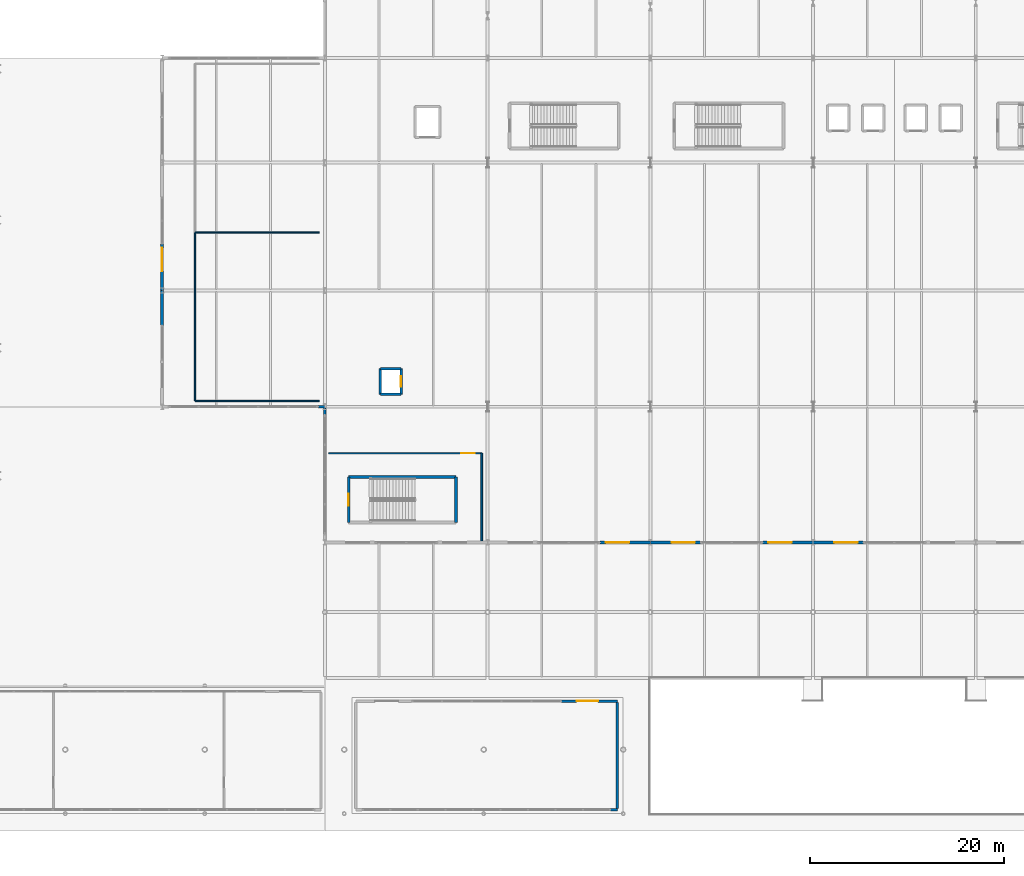
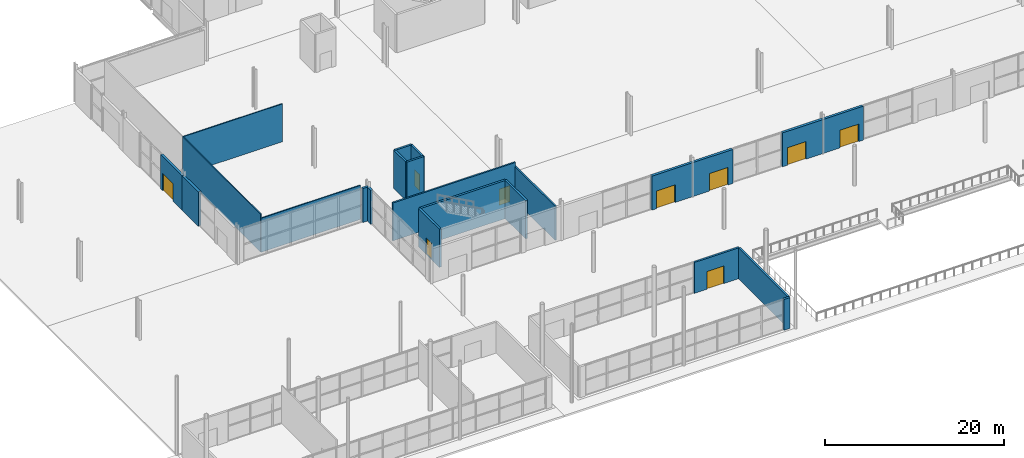
# One storey, part 61 of 87: 23 walls, 9 doors, 9 openings.
"""IFC4 building model written with IfcOpenShell, lengths in metres."""

from ifc_helpers import new_model, si_unit, direction, frame, frame_2d, origin, place, context, subcontext, project, spatial, rectangle, extrude, material, layer, layer_set, type_object, element, fill, save


model = new_model("IFC4")

# Units and contexts
model_context = context("Model", 3, precision=1e-05, world=origin(), true_north=direction((0.0, 1.0)))
body_context = subcontext(model_context, "Body", "Model", "MODEL_VIEW")
ifc_project = project(units=[si_unit("LENGTHUNIT", "METRE"), si_unit("AREAUNIT", "SQUARE_METRE"), si_unit("VOLUMEUNIT", "CUBIC_METRE"), si_unit("PLANEANGLEUNIT", "RADIAN"), si_unit("MASSUNIT", "GRAM", prefix="KILO")], contexts=[model_context])

# Site, building, storey
site_placement = place(None, origin())
site = spatial("IfcSite", under=ifc_project, at=site_placement, CompositionType="ELEMENT")
building_placement = place(site_placement, origin())
building = spatial("IfcBuilding", under=site, at=building_placement, Name="Kimbaza Rail Terminus", CompositionType="ELEMENT")
storey_placement = place(building_placement, origin())
storey = spatial("IfcBuildingStorey", under=building, at=storey_placement, Name="L00", CompositionType="ELEMENT", Elevation=0.0)

# Wall, opening, door
ifc_material_1 = material(Name="Concrete blockwork C30/37", Category="masonry")
ifc_layer_1 = layer(ifc_material_1, 0.239990234375)
ifc_layer_set_1 = layer_set([ifc_layer_1], Name="Concrete blockwork C30/37")
wall_type_1 = type_object("IfcWallType", Name="ARC-WL-EXT240", PredefinedType="STANDARD", material=ifc_layer_set_1)
wall_1_placement = place(storey_placement, frame((79.60009765625, 24.60009765625, 0.0), z_axis=(0.0, 0.0, 1.0), x_axis=(1.0, 0.0, 0.0)))
wall_1 = element("IfcWall", 1, at=wall_1_placement, inside=storey, type_object=wall_type_1, Name="Taxi Waiting Pavilion North Wall B", PredefinedType="STANDARD", context=body_context, shape_type="SweptSolid", body=[
    extrude(rectangle(XDim=5.7998046875, YDim=0.239990234375, at=frame_2d((2.89990234375, 0.0))), origin(), (0.0, 0.0, 1.0), 4.199951171875),
])
opening_1_placement = place(wall_1_placement, frame((1.60009765625, 0.0, 0.0)))
opening_1 = element("IfcOpeningElement", 2, at=opening_1_placement, cuts=wall_1, Name="Opening D-EX2", PredefinedType="OPENING", context=body_context, shape_type="SweptSolid", body=[
    extrude(rectangle(XDim=2.199951171875, YDim=2.39990234375, at=frame_2d((1.10009765625, 1.199951171875))), frame((0.0, 0.1298828125, 0.0), z_axis=(0.0, -1.0, 0.0), x_axis=(1.0, 0.0, 0.0)), (0.0, 0.0, 1.0), 0.260009765625),
])
ifc_material_2 = material(Name="Anodised aluminium and toughened safety glass", Category="aluminium")
door_type_1 = type_object("IfcDoorType", Name="ARC-DR-EX220", OperationType="NOTDEFINED", PredefinedType="DOOR", material=ifc_material_2)
door_1_placement = place(opening_1_placement, origin())
door_1 = element("IfcDoor", 3, at=door_1_placement, inside=storey, type_object=door_type_1, Name="DR-EX-K2B", OperationType="SINGLE_SWING_RIGHT", OverallHeight=2.39990234375, OverallWidth=2.199951171875, PredefinedType="DOOR", context=body_context, shape_type="SweptSolid", body=[
    extrude(rectangle(XDim=2.199951171875, YDim=2.39990234375, at=frame_2d((1.10009765625, 1.199951171875))), frame((0.0, 0.02490234375, 0.0), z_axis=(0.0, -1.0, 0.0), x_axis=(1.0, 0.0, 0.0)), (0.0, 0.0, 1.0), 0.050048828125),
])
fill(opening_1, door_1)

# Walls
wall_2_placement = place(storey_placement, frame((85.39990234375, 13.5400390625, 0.0), z_axis=(0.0, 0.0, 1.0), x_axis=(0.0, 1.0, 0.0)))
element("IfcWall", 4, at=wall_2_placement, inside=storey, type_object=wall_type_1, Name="Taxi Waiting Pavilion East Wall", PredefinedType="STANDARD", context=body_context, shape_type="SweptSolid", body=[
    extrude(rectangle(XDim=10.93994140625, YDim=0.239990234375, at=frame_2d((5.469970703125, 0.0))), origin(), (0.0, 0.0, 1.0), 4.199951171875),
])
ifc_material_3 = material(Name="Precast concrete C40/50", Category="concrete")
ifc_layer_2 = layer(ifc_material_3, 0.280029296875)
ifc_layer_set_2 = layer_set([ifc_layer_2], Name="Precast concrete C40/50")
wall_type_2 = type_object("IfcWallType", Name="ARC-WL-EXT280", PredefinedType="STANDARD", material=ifc_layer_set_2)
wall_3_placement = place(storey_placement, frame((55.199951171875, 54.139892578125, 0.0), z_axis=(0.0, 0.0, 1.0), x_axis=(0.0, 1.0, 0.0)))
element("IfcWall", 5, at=wall_3_placement, inside=storey, type_object=wall_type_2, Name="Concourse W Return Curtain Wall L00 Corner Pier B", PredefinedType="STANDARD", context=body_context, shape_type="SweptSolid", body=[
    extrude(rectangle(XDim=0.72021484375, YDim=0.280029296875, at=frame_2d((0.360107421875, 0.0))), origin(), (0.0, 0.0, 1.0), 4.625),
])
wall_4_placement = place(storey_placement, frame((54.47998046875, 55.0, 0.0), z_axis=(0.0, 0.0, 1.0), x_axis=(1.0, 0.0, 0.0)))
element("IfcWall", 6, at=wall_4_placement, inside=storey, type_object=wall_type_2, Name="Ticket Hall Wing W Curtain Wall L00.1 Corner Pier B", PredefinedType="STANDARD", context=body_context, shape_type="SweptSolid", body=[
    extrude(rectangle(XDim=0.719970703125, YDim=0.280029296875, at=frame_2d((0.35986328125, 0.0))), origin(), (0.0, 0.0, 1.0), 4.625),
])
wall_5_placement = place(storey_placement, frame((84.679931640625, 13.39990234375, 0.0), z_axis=(0.0, 0.0, 1.0), x_axis=(1.0, 0.0, 0.0)))
element("IfcWall", 7, at=wall_5_placement, inside=storey, type_object=wall_type_2, Name="Taxi Waiting Pavilion South Curtain Wall Corner Pier B", PredefinedType="STANDARD", context=body_context, shape_type="SweptSolid", body=[
    extrude(rectangle(XDim=0.719970703125, YDim=0.280029296875, at=frame_2d((0.35986328125, 0.0))), origin(), (0.0, 0.0, 1.0), 4.199951171875),
])

# Wall, opening, door
ifc_material_4 = material(Name="Precast concrete C40/50", Category="concrete")
ifc_layer_3 = layer(ifc_material_4, 0.320068359375)
ifc_layer_set_3 = layer_set([ifc_layer_3], Name="Precast concrete C40/50")
wall_type_3 = type_object("IfcWallType", Name="ARC-WL-EXT320", PredefinedType="STANDARD", material=ifc_layer_set_3)
wall_6_placement = place(storey_placement, frame((83.60009765625, 41.0, 0.0), z_axis=(0.0, 0.0, 1.0), x_axis=(1.0, 0.0, 0.0)))
wall_6 = element("IfcWall", 8, at=wall_6_placement, inside=storey, type_object=wall_type_3, Name="South Concourse Entrance Portal 2B", PredefinedType="STANDARD", context=body_context, shape_type="SweptSolid", body=[
    extrude(rectangle(XDim=5.199951171875, YDim=0.320068359375, at=frame_2d((2.60009765625, 0.0))), origin(), (0.0, 0.0, 1.0), 4.625),
])
opening_2_placement = place(wall_6_placement, frame((3.0, 0.0, 0.0), z_axis=(0.0, 0.0, 1.0), x_axis=(-1.0, 0.0, 0.0)))
opening_2 = element("IfcOpeningElement", 9, at=opening_2_placement, cuts=wall_6, Name="Opening D-EX1", PredefinedType="OPENING", context=body_context, shape_type="SweptSolid", body=[
    extrude(rectangle(XDim=2.39990234375, YDim=2.39990234375, at=frame_2d((1.199951171875, 1.199951171875))), frame((0.0, 0.169921875, 0.0), z_axis=(0.0, -1.0, 0.0), x_axis=(1.0, 0.0, 0.0)), (0.0, 0.0, 1.0), 0.340087890625),
])
ifc_material_5 = material(Name="Anodised aluminium and toughened safety glass", Category="aluminium")
door_type_2 = type_object("IfcDoorType", Name="ARC-DR-EX240", OperationType="NOTDEFINED", PredefinedType="DOOR", material=ifc_material_5)
door_2_placement = place(opening_2_placement, origin())
door_2 = element("IfcDoor", 10, at=door_2_placement, inside=storey, type_object=door_type_2, Name="DR-EX-S04", OperationType="SINGLE_SWING_LEFT", OverallHeight=2.39990234375, OverallWidth=2.39990234375, PredefinedType="DOOR", context=body_context, shape_type="SweptSolid", body=[
    extrude(rectangle(XDim=2.39990234375, YDim=2.39990234375, at=frame_2d((1.199951171875, 1.199951171875))), frame((0.0, 0.02490234375, 0.0), z_axis=(0.0, -1.0, 0.0), x_axis=(1.0, 0.0, 0.0)), (0.0, 0.0, 1.0), 0.050048828125),
])
fill(opening_2, door_2)

wall_7_placement = place(storey_placement, frame((88.800048828125, 41.0, 0.0), z_axis=(0.0, 0.0, 1.0), x_axis=(1.0, 0.0, 0.0)))
wall_7 = element("IfcWall", 11, at=wall_7_placement, inside=storey, type_object=wall_type_3, Name="South Concourse Entrance Portal 3A", PredefinedType="STANDARD", context=body_context, shape_type="SweptSolid", body=[
    extrude(rectangle(XDim=5.199951171875, YDim=0.320068359375, at=frame_2d((2.60009765625, 0.0))), origin(), (0.0, 0.0, 1.0), 4.625),
])
opening_3_placement = place(wall_7_placement, frame((4.599853515625, 0.0, 0.0), z_axis=(0.0, 0.0, 1.0), x_axis=(-1.0, 0.0, 0.0)))
opening_3 = element("IfcOpeningElement", 12, at=opening_3_placement, cuts=wall_7, Name="Opening D-EX1", PredefinedType="OPENING", context=body_context, shape_type="SweptSolid", body=[
    extrude(rectangle(XDim=2.39990234375, YDim=2.39990234375, at=frame_2d((1.199951171875, 1.199951171875))), frame((0.0, 0.169921875, 0.0), z_axis=(0.0, -1.0, 0.0), x_axis=(1.0, 0.0, 0.0)), (0.0, 0.0, 1.0), 0.340087890625),
])
door_3_placement = place(opening_3_placement, origin())
door_3 = element("IfcDoor", 13, at=door_3_placement, inside=storey, type_object=door_type_2, Name="DR-EX-S05", OperationType="SINGLE_SWING_RIGHT", OverallHeight=2.39990234375, OverallWidth=2.39990234375, PredefinedType="DOOR", context=body_context, shape_type="SweptSolid", body=[
    extrude(rectangle(XDim=2.39990234375, YDim=2.39990234375, at=frame_2d((1.199951171875, 1.199951171875))), frame((0.0, 0.02490234375, 0.0), z_axis=(0.0, -1.0, 0.0), x_axis=(1.0, 0.0, 0.0)), (0.0, 0.0, 1.0), 0.050048828125),
])
fill(opening_3, door_3)

wall_8_placement = place(storey_placement, frame((100.39990234375, 41.0, 0.0), z_axis=(0.0, 0.0, 1.0), x_axis=(1.0, 0.0, 0.0)))
wall_8 = element("IfcWall", 14, at=wall_8_placement, inside=storey, type_object=wall_type_3, Name="South Concourse Entrance Portal 3B", PredefinedType="STANDARD", context=body_context, shape_type="SweptSolid", body=[
    extrude(rectangle(XDim=5.2001953125, YDim=0.320068359375, at=frame_2d((2.60009765625, 0.0))), origin(), (0.0, 0.0, 1.0), 4.625),
])
opening_4_placement = place(wall_8_placement, frame((3.0, 0.0, 0.0), z_axis=(0.0, 0.0, 1.0), x_axis=(-1.0, 0.0, 0.0)))
opening_4 = element("IfcOpeningElement", 15, at=opening_4_placement, cuts=wall_8, Name="Opening D-EX1", PredefinedType="OPENING", context=body_context, shape_type="SweptSolid", body=[
    extrude(rectangle(XDim=2.39990234375, YDim=2.39990234375, at=frame_2d((1.199951171875, 1.199951171875))), frame((0.0, 0.169921875, 0.0), z_axis=(0.0, -1.0, 0.0), x_axis=(1.0, 0.0, 0.0)), (0.0, 0.0, 1.0), 0.340087890625),
])
door_4_placement = place(opening_4_placement, origin())
door_4 = element("IfcDoor", 16, at=door_4_placement, inside=storey, type_object=door_type_2, Name="DR-EX-S06", OperationType="SINGLE_SWING_LEFT", OverallHeight=2.39990234375, OverallWidth=2.39990234375, PredefinedType="DOOR", context=body_context, shape_type="SweptSolid", body=[
    extrude(rectangle(XDim=2.39990234375, YDim=2.39990234375, at=frame_2d((1.199951171875, 1.199951171875))), frame((0.0, 0.02490234375, 0.0), z_axis=(0.0, -1.0, 0.0), x_axis=(1.0, 0.0, 0.0)), (0.0, 0.0, 1.0), 0.050048828125),
])
fill(opening_4, door_4)

wall_9_placement = place(storey_placement, frame((105.60009765625, 41.0, 0.0), z_axis=(0.0, 0.0, 1.0), x_axis=(1.0, 0.0, 0.0)))
wall_9 = element("IfcWall", 17, at=wall_9_placement, inside=storey, type_object=wall_type_3, Name="South Concourse Entrance Portal 4A", PredefinedType="STANDARD", context=body_context, shape_type="SweptSolid", body=[
    extrude(rectangle(XDim=5.199951171875, YDim=0.320068359375, at=frame_2d((2.60009765625, 0.0))), origin(), (0.0, 0.0, 1.0), 4.625),
])
opening_5_placement = place(wall_9_placement, frame((4.599853515625, 0.0, 0.0), z_axis=(0.0, 0.0, 1.0), x_axis=(-1.0, 0.0, 0.0)))
opening_5 = element("IfcOpeningElement", 18, at=opening_5_placement, cuts=wall_9, Name="Opening D-EX1", PredefinedType="OPENING", context=body_context, shape_type="SweptSolid", body=[
    extrude(rectangle(XDim=2.39990234375, YDim=2.39990234375, at=frame_2d((1.199951171875, 1.199951171875))), frame((0.0, 0.169921875, 0.0), z_axis=(0.0, -1.0, 0.0), x_axis=(1.0, 0.0, 0.0)), (0.0, 0.0, 1.0), 0.340087890625),
])
door_5_placement = place(opening_5_placement, origin())
door_5 = element("IfcDoor", 19, at=door_5_placement, inside=storey, type_object=door_type_2, Name="DR-EX-S07", OperationType="SINGLE_SWING_RIGHT", OverallHeight=2.39990234375, OverallWidth=2.39990234375, PredefinedType="DOOR", context=body_context, shape_type="SweptSolid", body=[
    extrude(rectangle(XDim=2.39990234375, YDim=2.39990234375, at=frame_2d((1.199951171875, 1.199951171875))), frame((0.0, 0.02490234375, 0.0), z_axis=(0.0, -1.0, 0.0), x_axis=(1.0, 0.0, 0.0)), (0.0, 0.0, 1.0), 0.050048828125),
])
fill(opening_5, door_5)

# Wall
wall_10_placement = place(storey_placement, frame((38.39990234375, 63.39990234375, 0.0), z_axis=(0.0, 0.0, 1.0), x_axis=(0.0, 1.0, 0.0)))
element("IfcWall", 20, at=wall_10_placement, inside=storey, type_object=wall_type_3, Name="Ticket Hall W Pier L00.1", PredefinedType="STANDARD", context=body_context, shape_type="SweptSolid", body=[
    extrude(rectangle(XDim=3.60009765625, YDim=0.320068359375, at=frame_2d((1.800048828125, 0.0))), origin(), (0.0, 0.0, 1.0), 4.675048828125),
])

# Wall, opening, door
wall_11_placement = place(storey_placement, frame((38.39990234375, 67.0, 0.0), z_axis=(0.0, 0.0, 1.0), x_axis=(0.0, 1.0, 0.0)))
wall_11 = element("IfcWall", 21, at=wall_11_placement, inside=storey, type_object=wall_type_3, Name="Ticket Hall W Flank Wall L00.2", PredefinedType="STANDARD", context=body_context, shape_type="SweptSolid", body=[
    extrude(rectangle(XDim=4.800048828125, YDim=0.320068359375, at=frame_2d((2.39990234375, 0.0))), origin(), (0.0, 0.0, 1.0), 4.675048828125),
])
opening_6_placement = place(wall_11_placement, frame((2.0, 0.0, 0.0)))
opening_6 = element("IfcOpeningElement", 22, at=opening_6_placement, cuts=wall_11, Name="Opening D-EX1", PredefinedType="OPENING", context=body_context, shape_type="SweptSolid", body=[
    extrude(rectangle(XDim=2.39990234375, YDim=2.39990234375, at=frame_2d((1.199951171875, 1.199951171875))), frame((0.0, 0.169921875, 0.0), z_axis=(0.0, -1.0, 0.0), x_axis=(1.0, 0.0, 0.0)), (0.0, 0.0, 1.0), 0.340087890625),
])
door_6_placement = place(opening_6_placement, origin())
door_6 = element("IfcDoor", 23, at=door_6_placement, inside=storey, type_object=door_type_2, Name="DR-EX-W2", OperationType="SINGLE_SWING_LEFT", OverallHeight=2.39990234375, OverallWidth=2.39990234375, PredefinedType="DOOR", context=body_context, shape_type="SweptSolid", body=[
    extrude(rectangle(XDim=2.39990234375, YDim=2.39990234375, at=frame_2d((1.199951171875, 1.199951171875))), frame((0.0, 0.02490234375, 0.0), z_axis=(0.0, -1.0, 0.0), x_axis=(1.0, 0.0, 0.0)), (0.0, 0.0, 1.0), 0.050048828125),
])
fill(opening_6, door_6)

# Wall
ifc_material_6 = material(Name="Concrete blockwork C30/37", Category="masonry")
ifc_layer_4 = layer(ifc_material_6, 0.199951171875)
ifc_layer_set_4 = layer_set([ifc_layer_4], Name="Concrete blockwork C30/37")
wall_type_4 = type_object("IfcWallType", Name="ARC-WL-FIRE200", PredefinedType="PARTITIONING", material=ifc_layer_set_4)
wall_12_placement = place(storey_placement, frame((71.39990234375, 41.159912109375, 0.0), z_axis=(0.0, 0.0, 1.0), x_axis=(0.0, 1.0, 0.0)))
element("IfcWall", 24, at=wall_12_placement, inside=storey, type_object=wall_type_4, Name="Protected Exit Vestibule ST-S1 Partition (east)", PredefinedType="PARTITIONING", context=body_context, shape_type="SweptSolid", body=[
    extrude(rectangle(XDim=9.0400390625, YDim=0.199951171875, at=frame_2d((4.52001953125, 0.0))), origin(), (0.0, 0.0, 1.0), 4.625),
])

# Wall, opening, door
wall_13_placement = place(storey_placement, frame((71.39990234375, 50.199951171875, 0.0), z_axis=(0.0, 0.0, 1.0), x_axis=(-1.0, 0.0, 0.0)))
wall_13 = element("IfcWall", 25, at=wall_13_placement, inside=storey, type_object=wall_type_4, Name="Protected Exit Vestibule ST-S1 Partition (north)", PredefinedType="PARTITIONING", context=body_context, shape_type="SweptSolid", body=[
    extrude(rectangle(XDim=15.7998046875, YDim=0.199951171875, at=frame_2d((7.89990234375, 0.0))), origin(), (0.0, 0.0, 1.0), 5.159912109375),
])
opening_7_placement = place(wall_13_placement, frame((0.699951171875, 0.0, 0.0)))
opening_7 = element("IfcOpeningElement", 26, at=opening_7_placement, cuts=wall_13, Name="Opening FD-01", PredefinedType="OPENING", context=body_context, shape_type="SweptSolid", body=[
    extrude(rectangle(XDim=1.39990234375, YDim=2.199951171875, at=frame_2d((0.699951171875, 1.10009765625))), frame((0.0, 0.10986328125, 0.0), z_axis=(0.0, -1.0, 0.0), x_axis=(1.0, 0.0, 0.0)), (0.0, 0.0, 1.0), 0.219970703125),
])
ifc_material_7 = material(Name="Galvanised painted steel fire escape door", Category="steel")
door_type_3 = type_object("IfcDoorType", Name="ARC-DR-FD140", OperationType="NOTDEFINED", PredefinedType="DOOR", material=ifc_material_7)
door_7_placement = place(opening_7_placement, origin())
door_7 = element("IfcDoor", 27, at=door_7_placement, inside=storey, type_object=door_type_3, Name="IDR-SPC-EXV-STS1", OperationType="SINGLE_SWING_RIGHT", OverallHeight=2.199951171875, OverallWidth=1.39990234375, PredefinedType="DOOR", context=body_context, shape_type="SweptSolid", body=[
    extrude(rectangle(XDim=1.39990234375, YDim=2.199951171875, at=frame_2d((0.699951171875, 1.10009765625))), frame((0.0, 0.02490234375, 0.0), z_axis=(0.0, -1.0, 0.0), x_axis=(1.0, 0.0, 0.0)), (0.0, 0.0, 1.0), 0.050048828125),
])
fill(opening_7, door_7)

# Walls
ifc_material_8 = material(Name="Acoustic gypsum stud partition", Category="gypsum")
ifc_layer_5 = layer(ifc_material_8, 0.1298828125)
ifc_layer_set_5 = layer_set([ifc_layer_5], Name="Acoustic gypsum stud partition")
wall_type_5 = type_object("IfcWallType", Name="ARC-WL-PART130", PredefinedType="PARTITIONING", material=ifc_layer_set_5)
wall_14_placement = place(storey_placement, frame((41.800048828125, 55.60009765625, 0.0), z_axis=(0.0, 0.0, 1.0), x_axis=(1.0, 0.0, 0.0)))
element("IfcWall", 28, at=wall_14_placement, inside=storey, type_object=wall_type_5, Name="Intercity Ticket Counters and Booths Partition (south)", PredefinedType="PARTITIONING", context=body_context, shape_type="SweptSolid", body=[
    extrude(rectangle(XDim=12.800048828125, YDim=0.1298828125, at=frame_2d((6.39990234375, 0.0))), origin(), (0.0, 0.0, 1.0), 4.625),
])
wall_15_placement = place(storey_placement, frame((54.60009765625, 73.0, 0.0), z_axis=(0.0, 0.0, 1.0), x_axis=(-1.0, 0.0, 0.0)))
element("IfcWall", 29, at=wall_15_placement, inside=storey, type_object=wall_type_5, Name="Intercity Ticket Counters and Booths Partition (north)", PredefinedType="PARTITIONING", context=body_context, shape_type="SweptSolid", body=[
    extrude(rectangle(XDim=12.800048828125, YDim=0.1298828125, at=frame_2d((6.39990234375, 0.0))), origin(), (0.0, 0.0, 1.0), 5.159912109375),
])
wall_16_placement = place(storey_placement, frame((41.800048828125, 73.0, 0.0), z_axis=(0.0, 0.0, 1.0), x_axis=(0.0, -1.0, 0.0)))
element("IfcWall", 30, at=wall_16_placement, inside=storey, type_object=wall_type_5, Name="Intercity Ticket Counters and Booths Partition (west)", PredefinedType="PARTITIONING", context=body_context, shape_type="SweptSolid", body=[
    extrude(rectangle(XDim=17.39990234375, YDim=0.1298828125, at=frame_2d((8.699951171875, 0.0))), origin(), (0.0, 0.0, 1.0), 5.159912109375),
])
ifc_material_9 = material(Name="Concrete C40/50", Category="concrete")
ifc_layer_6 = layer(ifc_material_9, 0.25)
ifc_layer_set_6 = layer_set([ifc_layer_6], Name="Concrete C40/50")
wall_type_6 = type_object("IfcWallType", Name="STR-WL-CORE250", PredefinedType="SHEAR", material=ifc_layer_set_6)
wall_17_placement = place(storey_placement, frame((60.919921875, 56.27001953125, 0.0), z_axis=(0.0, 0.0, 1.0), x_axis=(1.0, 0.0, 0.0)))
element("IfcWall", 31, at=wall_17_placement, inside=storey, type_object=wall_type_6, Name="Lift Shaft Wall LP-05 L00-1", PredefinedType="SHEAR", context=body_context, shape_type="SweptSolid", body=[
    extrude(rectangle(XDim=2.16015625, YDim=0.25, at=frame_2d((1.080078125, 0.0))), origin(), (0.0, 0.0, 1.0), 5.179931640625),
])

# Wall, opening, door
wall_18_placement = place(storey_placement, frame((63.080078125, 56.27001953125, 0.0), z_axis=(0.0, 0.0, 1.0), x_axis=(0.0, 1.0, 0.0)))
wall_18 = element("IfcWall", 32, at=wall_18_placement, inside=storey, type_object=wall_type_6, Name="Lift Shaft Wall LP-05 L00-2", PredefinedType="SHEAR", context=body_context, shape_type="SweptSolid", body=[
    extrude(rectangle(XDim=2.659912109375, YDim=0.25, at=frame_2d((1.330078125, 0.0))), origin(), (0.0, 0.0, 1.0), 5.179931640625),
])
opening_8_placement = place(wall_18_placement, frame((0.780029296875, 0.0, 0.0)))
opening_8 = element("IfcOpeningElement", 33, at=opening_8_placement, cuts=wall_18, Name="Opening LD-01", PredefinedType="OPENING", context=body_context, shape_type="SweptSolid", body=[
    extrude(rectangle(XDim=1.10009765625, YDim=2.199951171875, at=frame_2d((0.550048828125, 1.10009765625))), frame((0.0, 0.135009765625, 0.0), z_axis=(0.0, -1.0, 0.0), x_axis=(1.0, 0.0, 0.0)), (0.0, 0.0, 1.0), 0.27001953125),
])
ifc_material_10 = material(Name="Brushed stainless steel sliding landing door", Category="steel")
door_type_4 = type_object("IfcDoorType", Name="ARC-DR-LD110", OperationType="NOTDEFINED", PredefinedType="DOOR", material=ifc_material_10)
door_8_placement = place(opening_8_placement, origin())
door_8 = element("IfcDoor", 34, at=door_8_placement, inside=storey, type_object=door_type_4, Name="LDR-LP-05-L00", OperationType="SLIDING_TO_RIGHT", OverallHeight=2.199951171875, OverallWidth=1.10009765625, PredefinedType="DOOR", context=body_context, shape_type="SweptSolid", body=[
    extrude(rectangle(XDim=1.10009765625, YDim=2.199951171875, at=frame_2d((0.550048828125, 1.10009765625))), frame((0.0, 0.02490234375, 0.0), z_axis=(0.0, -1.0, 0.0), x_axis=(1.0, 0.0, 0.0)), (0.0, 0.0, 1.0), 0.050048828125),
])
fill(opening_8, door_8)

# Walls
wall_19_placement = place(storey_placement, frame((63.080078125, 58.929931640625, 0.0), z_axis=(0.0, 0.0, 1.0), x_axis=(-1.0, 0.0, 0.0)))
element("IfcWall", 35, at=wall_19_placement, inside=storey, type_object=wall_type_6, Name="Lift Shaft Wall LP-05 L00-3", PredefinedType="SHEAR", context=body_context, shape_type="SweptSolid", body=[
    extrude(rectangle(XDim=2.16015625, YDim=0.25, at=frame_2d((1.080078125, 0.0))), origin(), (0.0, 0.0, 1.0), 5.179931640625),
])
wall_20_placement = place(storey_placement, frame((60.919921875, 58.929931640625, 0.0), z_axis=(0.0, 0.0, 1.0), x_axis=(0.0, -1.0, 0.0)))
element("IfcWall", 36, at=wall_20_placement, inside=storey, type_object=wall_type_6, Name="Lift Shaft Wall LP-05 L00-4", PredefinedType="SHEAR", context=body_context, shape_type="SweptSolid", body=[
    extrude(rectangle(XDim=2.659912109375, YDim=0.25, at=frame_2d((1.330078125, 0.0))), origin(), (0.0, 0.0, 1.0), 5.179931640625),
])
ifc_material_11 = material(Name="Concrete C40/50", Category="concrete")
ifc_layer_7 = layer(ifc_material_11, 0.280029296875)
ifc_layer_set_7 = layer_set([ifc_layer_7], Name="Concrete C40/50")
wall_type_7 = type_object("IfcWallType", Name="STR-WL-CORE280", PredefinedType="SHEAR", material=ifc_layer_set_7)
wall_21_placement = place(storey_placement, frame((68.739990234375, 43.06005859375, 0.0), z_axis=(0.0, 0.0, 1.0), x_axis=(0.0, 1.0, 0.0)))
element("IfcWall", 37, at=wall_21_placement, inside=storey, type_object=wall_type_7, Name="South Metro Concourse West Stair Shaft Wall L00-2", PredefinedType="SHEAR", context=body_context, shape_type="SweptSolid", body=[
    extrude(rectangle(XDim=4.679931640625, YDim=0.280029296875, at=frame_2d((2.33984375, 0.0))), origin(), (0.0, 0.0, 1.0), 5.179931640625),
])
wall_22_placement = place(storey_placement, frame((68.739990234375, 47.739990234375, 0.0), z_axis=(0.0, 0.0, 1.0), x_axis=(-1.0, 0.0, 0.0)))
element("IfcWall", 38, at=wall_22_placement, inside=storey, type_object=wall_type_7, Name="South Metro Concourse West Stair Shaft Wall L00-3", PredefinedType="SHEAR", context=body_context, shape_type="SweptSolid", body=[
    extrude(rectangle(XDim=11.080078125, YDim=0.280029296875, at=frame_2d((5.5400390625, 0.0))), origin(), (0.0, 0.0, 1.0), 5.179931640625),
])

# Wall, opening, door
wall_23_placement = place(storey_placement, frame((57.659912109375, 47.739990234375, 0.0), z_axis=(0.0, 0.0, 1.0), x_axis=(0.0, -1.0, 0.0)))
wall_23 = element("IfcWall", 39, at=wall_23_placement, inside=storey, type_object=wall_type_7, Name="South Metro Concourse West Stair Shaft Wall L00-4", PredefinedType="SHEAR", context=body_context, shape_type="SweptSolid", body=[
    extrude(rectangle(XDim=4.679931640625, YDim=0.280029296875, at=frame_2d((2.33984375, 0.0))), origin(), (0.0, 0.0, 1.0), 5.179931640625),
])
opening_9_placement = place(wall_23_placement, frame((1.715087890625, 0.0, 0.0)))
opening_9 = element("IfcOpeningElement", 40, at=opening_9_placement, cuts=wall_23, Name="Opening FD-02", PredefinedType="OPENING", context=body_context, shape_type="SweptSolid", body=[
    extrude(rectangle(XDim=1.25, YDim=2.199951171875, at=frame_2d((0.625, 1.10009765625))), frame((0.0, 0.14990234375, 0.0), z_axis=(0.0, -1.0, 0.0), x_axis=(1.0, 0.0, 0.0)), (0.0, 0.0, 1.0), 0.300048828125),
])
ifc_material_12 = material(Name="Galvanised painted steel fire stair door", Category="steel")
door_type_5 = type_object("IfcDoorType", Name="ARC-DR-FD125", OperationType="NOTDEFINED", PredefinedType="DOOR", material=ifc_material_12)
door_9_placement = place(opening_9_placement, origin())
door_9 = element("IfcDoor", 41, at=door_9_placement, inside=storey, type_object=door_type_5, Name="SDR-ST-S1-L00", OperationType="SINGLE_SWING_RIGHT", OverallHeight=2.199951171875, OverallWidth=1.25, PredefinedType="DOOR", context=body_context, shape_type="SweptSolid", body=[
    extrude(rectangle(XDim=1.25, YDim=2.199951171875, at=frame_2d((0.625, 1.10009765625))), frame((0.0, 0.02490234375, 0.0), z_axis=(0.0, -1.0, 0.0), x_axis=(1.0, 0.0, 0.0)), (0.0, 0.0, 1.0), 0.050048828125),
])
fill(opening_9, door_9)

save(model, "model.ifc")
